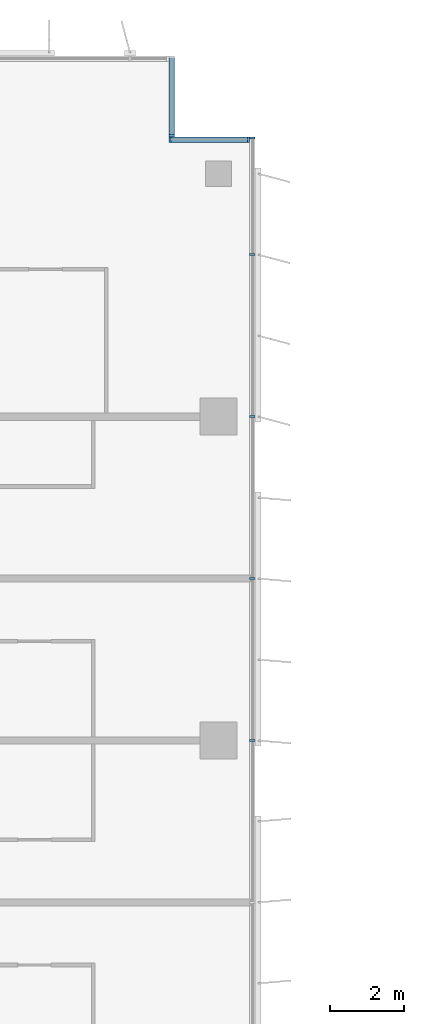
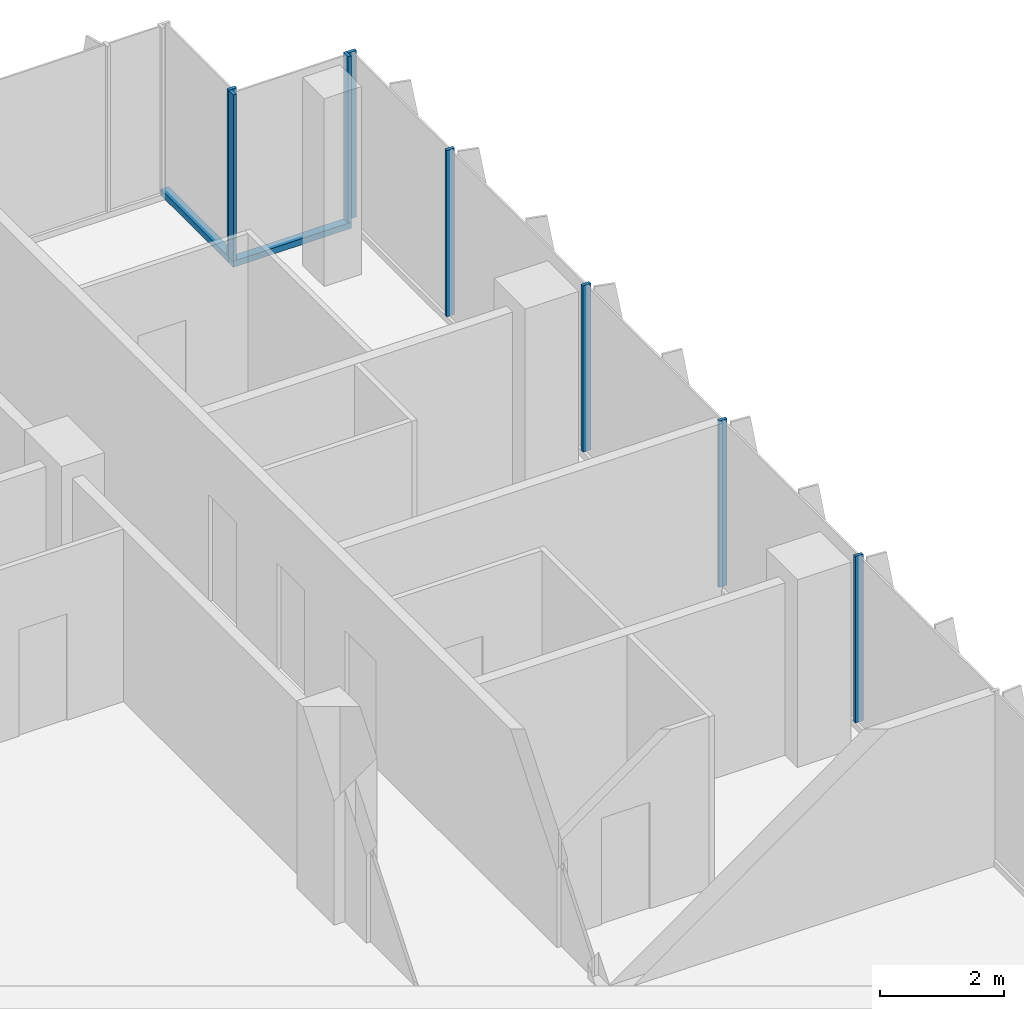
# One storey, part 7 of 21: 10 members, 3 elements without a shape of their own.
"""IFC4 building model written with IfcOpenShell, lengths in metres."""

from ifc_helpers import new_model, si_unit, direction, frame, origin, origin_2d, place, context, subcontext, project, spatial, rectangle, extrude, source, transform, mapped, material, material_profile, profile_set, type_object, element, aggregate, save


model = new_model("IFC4")

# Units and contexts
model_context = context("Model", 3, precision=1e-05, world=origin(), true_north=direction((0.0, 1.0)))
body_context = subcontext(model_context, "Body", "Model", "MODEL_VIEW")
ifc_project = project(units=[si_unit("LENGTHUNIT", "METRE"), si_unit("AREAUNIT", "SQUARE_METRE"), si_unit("VOLUMEUNIT", "CUBIC_METRE"), si_unit("PLANEANGLEUNIT", "RADIAN"), si_unit("MASSUNIT", "GRAM", prefix="KILO")], contexts=[model_context])

# Site, building, storey
site_placement = place(None, origin())
site = spatial("IfcSite", under=ifc_project, at=site_placement, CompositionType="ELEMENT")
building_placement = place(site_placement, origin())
building = spatial("IfcBuilding", under=site, at=building_placement, Name="Kemantara Hotel Tower", CompositionType="ELEMENT")
storey_placement = place(building_placement, frame((0.0, 0.0, 215.39990234375)))
storey = spatial("IfcBuildingStorey", under=building, at=storey_placement, Name="L53", CompositionType="ELEMENT", Elevation=215.39990234375)

# Curtain wall, member
ifc_material_1 = material(Name="Low-E tinted double insulated glass 36 mm", Category="glass")
curtain_wall_type = type_object("IfcCurtainWallType", Name="TOWER CURTAIN WALL, FRONT FACES", PredefinedType="USERDEFINED", material=ifc_material_1)
curtain_wall_1_placement = place(storey_placement, origin())
curtain_wall_1 = element("IfcCurtainWall", 1, at=curtain_wall_1_placement, inside=storey, type_object=curtain_wall_type, Name="CW4 L53 T3-R00-1", ObjectType="TOWER CURTAIN WALL, FRONT FACES", PredefinedType="USERDEFINED")
ifc_material_2 = material(Name="Aluminium 6063-T6 bronze anodised", Category="aluminium")
ifc_material_profile_1 = material_profile(ifc_material_2, rectangle(XDim=0.14990234375, YDim=0.1201171875, at=origin_2d()), Name="TOWER CURTAIN WALL, FRONT FACES TRANSOM")
ifc_profile_set_1 = profile_set([ifc_material_profile_1], Name="Aluminium 6063-T6 bronze anodised")
member_type_1 = type_object("IfcMemberType", Name="TOWER CURTAIN WALL, FRONT FACES TRANSOM", PredefinedType="USERDEFINED", material=ifc_profile_set_1)
member_1_placement = place(storey_placement, frame((21.85009765625, 61.324951171875, 0.06005859375), z_axis=(-1.0, 0.0, 0.0), x_axis=(0.0, -1.0, 0.0)))
member_1 = element("IfcMember", 2, at=member_1_placement, type_object=member_type_1, Name="CW4 sill transom T3-R00-1", ObjectType="TRANSOM", PredefinedType="USERDEFINED", context=body_context, shape_type="SweptSolid", body=[
    extrude(rectangle(XDim=0.14990234375, YDim=0.1201171875, at=origin_2d()), origin(), (0.0, 0.0, 1.0), 2.2001953125),
])

curtain_wall_2_placement = place(storey_placement, origin())
curtain_wall_2 = element("IfcCurtainWall", 3, at=curtain_wall_2_placement, inside=storey, type_object=curtain_wall_type, Name="CW4 L53 T3-R01-1", ObjectType="TOWER CURTAIN WALL, FRONT FACES", PredefinedType="USERDEFINED")
member_2_placement = place(storey_placement, frame((19.72509765625, 61.39990234375, 0.06005859375), z_axis=(0.0, 1.0, 0.0), x_axis=(-1.0, 0.0, 0.0)))
member_2 = element("IfcMember", 4, at=member_2_placement, type_object=member_type_1, Name="CW4 sill transom T3-R01-1", ObjectType="TRANSOM", PredefinedType="USERDEFINED", context=body_context, shape_type="SweptSolid", body=[
    extrude(rectangle(XDim=0.14990234375, YDim=0.1201171875, at=origin_2d()), origin(), (0.0, 0.0, 1.0), 2.2001953125),
])

# Curtain wall, members
curtain_wall_3_placement = place(storey_placement, origin())
curtain_wall_3 = element("IfcCurtainWall", 5, at=curtain_wall_3_placement, inside=storey, type_object=curtain_wall_type, Name="CW4 L53 T3-R17-1", ObjectType="TOWER CURTAIN WALL, FRONT FACES", PredefinedType="USERDEFINED")
ifc_material_profile_2 = material_profile(ifc_material_2, rectangle(XDim=0.14990234375, YDim=0.06005859375, at=origin_2d()), Name="TOWER CURTAIN WALL, FRONT FACES MULLION")
ifc_profile_set_2 = profile_set([ifc_material_profile_2], Name="Aluminium 6063-T6 bronze anodised")
member_type_2 = type_object("IfcMemberType", Name="TOWER CURTAIN WALL, FRONT FACES MULLION", PredefinedType="MULLION", material=ifc_profile_set_2)
shared_shape = source(origin(), body_context, "Body", "SweptSolid", [
    extrude(rectangle(XDim=0.14990234375, YDim=0.06005859375, at=origin_2d()), origin(), (0.0, 0.0, 1.0), 3.280029296875),
])
member_3_placement = place(storey_placement, frame((21.925048828125, 45.0, 0.1201171875), z_axis=(0.0, 0.0, 1.0), x_axis=(-1.0, 0.0, 0.0)))
member_3 = element("IfcMember", 6, at=member_3_placement, type_object=member_type_2, Name="CW4 mullion T3-R17-1.6", PredefinedType="MULLION", context=body_context, shape_type="MappedRepresentation", body=[
    mapped(shared_shape, transform((0.0, 0.0, 0.0))),
])
member_4_placement = place(storey_placement, frame((21.925048828125, 49.39990234375, 0.1201171875), z_axis=(0.0, 0.0, 1.0), x_axis=(-1.0, 0.0, 0.0)))
member_4 = element("IfcMember", 7, at=member_4_placement, type_object=member_type_2, Name="CW4 mullion T3-R17-1.7", PredefinedType="MULLION", context=body_context, shape_type="MappedRepresentation", body=[
    mapped(shared_shape, transform((0.0, 0.0, 0.0))),
])
member_5_placement = place(storey_placement, frame((21.925048828125, 53.800048828125, 0.1201171875), z_axis=(0.0, 0.0, 1.0), x_axis=(-1.0, 0.0, 0.0)))
member_5 = element("IfcMember", 8, at=member_5_placement, type_object=member_type_2, Name="CW4 mullion T3-R17-1.8", PredefinedType="MULLION", context=body_context, shape_type="MappedRepresentation", body=[
    mapped(shared_shape, transform((0.0, 0.0, 0.0))),
])
member_6_placement = place(storey_placement, frame((21.925048828125, 58.199951171875, 0.1201171875), z_axis=(0.0, 0.0, 1.0), x_axis=(-1.0, 0.0, 0.0)))
member_6 = element("IfcMember", 9, at=member_6_placement, type_object=member_type_2, Name="CW4 mullion T3-R17-1.9", PredefinedType="MULLION", context=body_context, shape_type="MappedRepresentation", body=[
    mapped(shared_shape, transform((0.0, 0.0, 0.0))),
])
member_7_placement = place(storey_placement, frame((21.925048828125, 61.3701171875, 0.1201171875), z_axis=(0.0, 0.0, 1.0), x_axis=(-1.0, 0.0, 0.0)))
member_7 = element("IfcMember", 10, at=member_7_placement, type_object=member_type_2, Name="CW4 mullion T3-R17-1.10", PredefinedType="MULLION", context=body_context, shape_type="MappedRepresentation", body=[
    mapped(shared_shape, transform((0.0, 0.0, 0.0))),
])
aggregate(curtain_wall_3, [member_3, member_4, member_5, member_6, member_7])

# Member
member_8_placement = place(storey_placement, frame((21.820068359375, 61.324951171875, 0.1201171875), z_axis=(0.0, 0.0, 1.0), x_axis=(0.0, -1.0, 0.0)))
member_8 = element("IfcMember", 11, at=member_8_placement, type_object=member_type_2, Name="CW4 mullion T3-R00-1.1", PredefinedType="MULLION", context=body_context, shape_type="MappedRepresentation", body=[
    mapped(shared_shape, transform((0.0, 0.0, 0.0))),
])

member_9_placement = place(storey_placement, frame((19.679931640625, 61.324951171875, 0.1201171875), z_axis=(0.0, 0.0, 1.0), x_axis=(0.0, -1.0, 0.0)))
member_9 = element("IfcMember", 12, at=member_9_placement, type_object=member_type_2, Name="CW4 mullion T3-R00-1.2", PredefinedType="MULLION", context=body_context, shape_type="MappedRepresentation", body=[
    mapped(shared_shape, transform((0.0, 0.0, 0.0))),
])

aggregate(curtain_wall_1, [member_1, member_8, member_9])

member_10_placement = place(storey_placement, frame((19.72509765625, 61.429931640625, 0.1201171875), z_axis=(0.0, 0.0, 1.0), x_axis=(-1.0, 0.0, 0.0)))
member_10 = element("IfcMember", 13, at=member_10_placement, type_object=member_type_2, Name="CW4 mullion T3-R01-1.1", PredefinedType="MULLION", context=body_context, shape_type="MappedRepresentation", body=[
    mapped(shared_shape, transform((0.0, 0.0, 0.0))),
])

aggregate(curtain_wall_2, [member_2, member_10])

save(model, "model.ifc")
